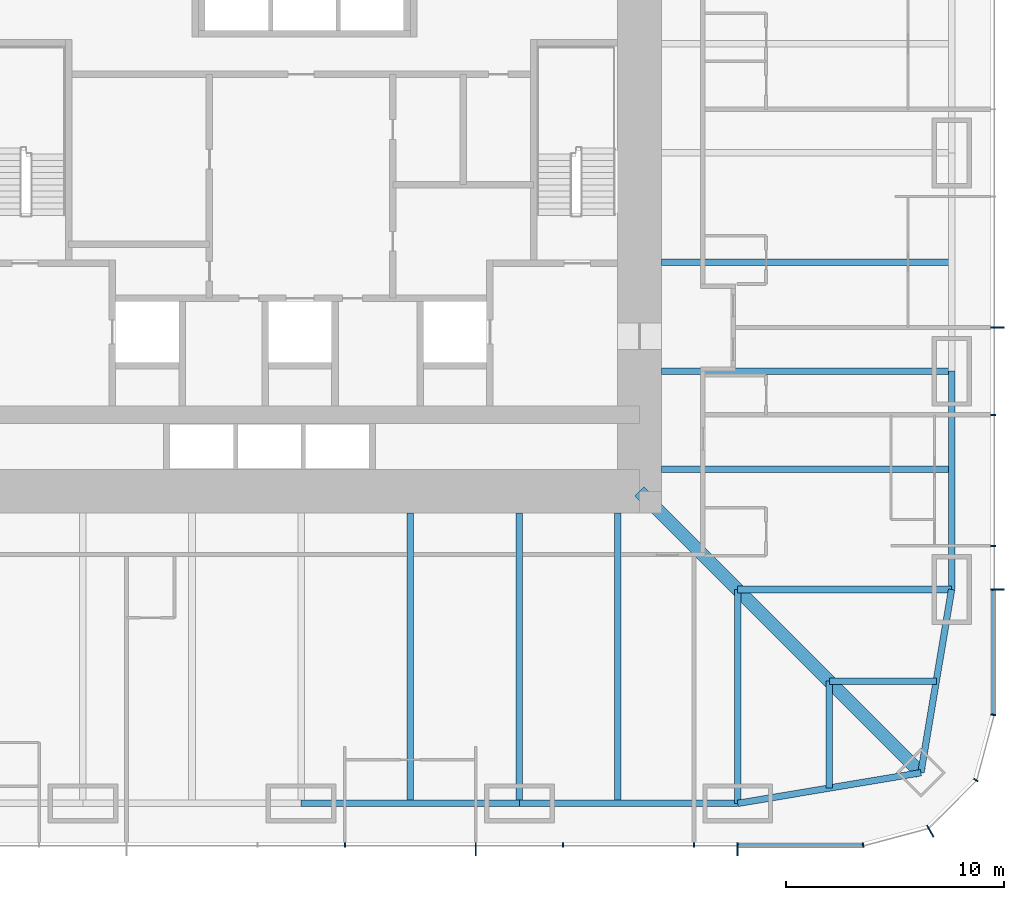
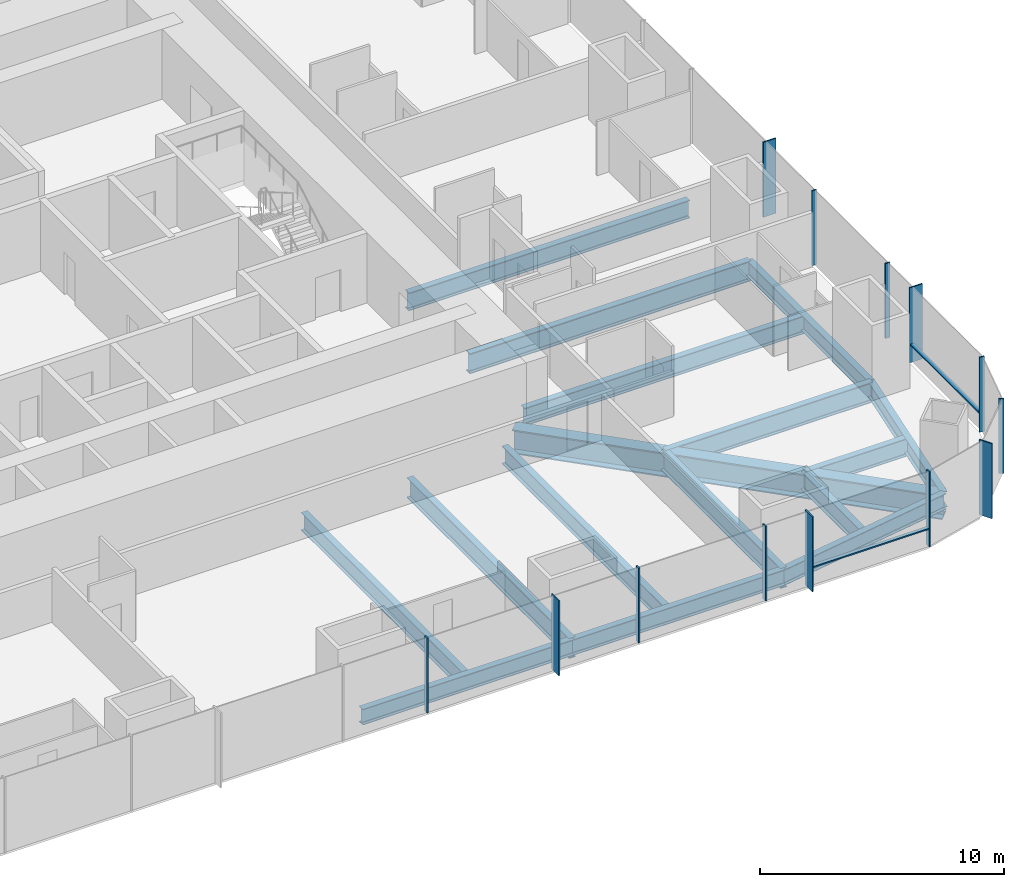
# One storey, part 4 of 17: 16 beams, 15 members, 3 elements without a shape of their own.
"""IFC4 building model written with IfcOpenShell, lengths in metres."""

from ifc_helpers import new_model, si_unit, direction, frame, origin, origin_2d, place, context, subcontext, project, spatial, rectangle, i_section, extrude, material, material_profile, profile_set, type_object, element, aggregate, save


model = new_model("IFC4")

# Units and contexts
model_context = context("Model", 3, precision=1e-05, world=origin(), true_north=direction((0.0, 1.0)))
body_context = subcontext(model_context, "Body", "Model", "MODEL_VIEW")
ifc_project = project(units=[si_unit("LENGTHUNIT", "METRE"), si_unit("AREAUNIT", "SQUARE_METRE"), si_unit("VOLUMEUNIT", "CUBIC_METRE"), si_unit("PLANEANGLEUNIT", "RADIAN"), si_unit("MASSUNIT", "GRAM", prefix="KILO")], contexts=[model_context])

# Site, building, storey
site_placement = place(None, origin())
site = spatial("IfcSite", under=ifc_project, at=site_placement, CompositionType="ELEMENT")
building_placement = place(site_placement, origin())
building = spatial("IfcBuilding", under=site, at=building_placement, Name="Khuree Lantern Residences", CompositionType="ELEMENT")
storey_placement = place(building_placement, frame((0.0, 0.0, 47.25)))
storey = spatial("IfcBuildingStorey", under=building, at=storey_placement, Name="L11", CompositionType="ELEMENT", Elevation=47.25)

# Beams
ifc_material_1 = material(Name="Steel S355", Category="steel")
ifc_material_profile_1 = material_profile(ifc_material_1, i_section(OverallWidth=0.300048828125, OverallDepth=0.889892578125, WebThickness=0.01611328125, FlangeThickness=0.030029296875, FilletRadius=0.030029296875, at=origin_2d()), Name="HE 900 A")
ifc_profile_set_1 = profile_set([ifc_material_profile_1], Name="Steel S355")
beam_type_1 = type_object("IfcBeamType", Name="B-12 SECONDARY BEAM HE 900 A", PredefinedType="BEAM", material=ifc_profile_set_1)
for number, where, z_axis, x_axis, name in (
    (1, (29.800048828125, -5.0, -0.695068359375), (-1.0, 0.0, 0.0), (0.0, -1.0, 0.0), "Secondary beam E4"),
    (2, (29.800048828125, -14.5, -0.695068359375), (-1.0, 0.0, 0.0), (0.0, -1.0, 0.0), "Secondary beam E5"),
):
    element("IfcBeam", number, at=place(storey_placement, frame(where, z_axis=z_axis, x_axis=x_axis)), inside=storey, type_object=beam_type_1, Name=name, PredefinedType="BEAM", context=body_context, shape_type="SweptSolid", body=[
        extrude(i_section(OverallWidth=0.300048828125, OverallDepth=0.889892578125, WebThickness=0.01611328125, FlangeThickness=0.030029296875, FilletRadius=0.030029296875, at=origin_2d()), origin(), (0.0, 0.0, 1.0), 13.300048828125),
    ])
for number, where, z_axis, x_axis, name in (
    (3, (29.09716796875, -24.197021484375, -0.695068359375), (-1.0, 0.0, 0.0), (0.0, -1.0, 0.0), "Secondary beam E6"),
    (4, (24.197021484375, -29.09716796875, -0.695068359375), (0.0, 1.0, 0.0), (-1.0, 0.0, 0.0), "Secondary beam S1"),
):
    element("IfcBeam", number, at=place(storey_placement, frame(where, z_axis=z_axis, x_axis=x_axis)), inside=storey, type_object=beam_type_1, Name=name, PredefinedType="BEAM", context=body_context, shape_type="SweptSolid", body=[
        extrude(i_section(OverallWidth=0.300048828125, OverallDepth=0.889892578125, WebThickness=0.01611328125, FlangeThickness=0.030029296875, FilletRadius=0.030029296875, at=origin_2d()), origin(), (0.0, 0.0, 1.0), 4.900146484375),
    ])
for number, where, z_axis, x_axis, name in (
    (5, (14.5, -29.800048828125, -0.695068359375), (0.0, 1.0, 0.0), (-1.0, 0.0, 0.0), "Secondary beam S2"),
    (6, (5.0, -29.800048828125, -0.695068359375), (0.0, 1.0, 0.0), (-1.0, 0.0, 0.0), "Secondary beam S3"),
):
    element("IfcBeam", number, at=place(storey_placement, frame(where, z_axis=z_axis, x_axis=x_axis)), inside=storey, type_object=beam_type_1, Name=name, PredefinedType="BEAM", context=body_context, shape_type="SweptSolid", body=[
        extrude(i_section(OverallWidth=0.300048828125, OverallDepth=0.889892578125, WebThickness=0.01611328125, FlangeThickness=0.030029296875, FilletRadius=0.030029296875, at=origin_2d()), origin(), (0.0, 0.0, 1.0), 13.300048828125),
    ])
ifc_material_profile_2 = material_profile(ifc_material_1, i_section(OverallWidth=0.300048828125, OverallDepth=0.7900390625, WebThickness=0.014892578125, FlangeThickness=0.028076171875, FilletRadius=0.030029296875, at=origin_2d()), Name="HE 800 A")
ifc_profile_set_2 = profile_set([ifc_material_profile_2], Name="Steel S355")
beam_type_2 = type_object("IfcBeamType", Name="E-12 SPANDREL BEAM HE 800 A", PredefinedType="SPANDREL", material=ifc_profile_set_2)
beam_1_placement = place(storey_placement, frame((29.800048828125, -10.0, -0.64501953125), z_axis=(0.0, -1.0, 0.0), x_axis=(1.0, 0.0, 0.0)))
element("IfcBeam", 7, at=beam_1_placement, inside=storey, type_object=beam_type_2, Name="Spandrel beam E5", PredefinedType="SPANDREL", context=body_context, shape_type="SweptSolid", body=[
    extrude(i_section(OverallWidth=0.300048828125, OverallDepth=0.7900390625, WebThickness=0.014892578125, FlangeThickness=0.028076171875, FilletRadius=0.030029296875, at=origin_2d()), origin(), (0.0, 0.0, 1.0), 10.0),
])
for number, where, z_axis, x_axis, name in (
    (8, (29.800048828125, -20.0, -0.64501953125), (-0.165199022349, -0.986260251158, 0.0), (0.986260251158, -0.165199022349, 0.0), "Spandrel beam E6"),
    (9, (28.39404296875, -28.39404296875, -0.64501953125), (-0.986260251158, -0.165199022349, 0.0), (0.165199022349, -0.986260251158, 0.0), "Spandrel beam S1"),
):
    element("IfcBeam", number, at=place(storey_placement, frame(where, z_axis=z_axis, x_axis=x_axis)), inside=storey, type_object=beam_type_2, Name=name, PredefinedType="SPANDREL", context=body_context, shape_type="SweptSolid", body=[
        extrude(i_section(OverallWidth=0.300048828125, OverallDepth=0.7900390625, WebThickness=0.014892578125, FlangeThickness=0.028076171875, FilletRadius=0.030029296875, at=origin_2d()), origin(), (0.0, 0.0, 1.0), 8.510986328125),
    ])
for number, where, z_axis, x_axis, name in (
    (10, (20.0, -29.800048828125, -0.64501953125), (-1.0, 0.0, 0.0), (0.0, -1.0, 0.0), "Spandrel beam S2"),
    (11, (10.0, -29.800048828125, -0.64501953125), (-1.0, 0.0, 0.0), (0.0, -1.0, 0.0), "Spandrel beam S3"),
):
    element("IfcBeam", number, at=place(storey_placement, frame(where, z_axis=z_axis, x_axis=x_axis)), inside=storey, type_object=beam_type_2, Name=name, PredefinedType="SPANDREL", context=body_context, shape_type="SweptSolid", body=[
        extrude(i_section(OverallWidth=0.300048828125, OverallDepth=0.7900390625, WebThickness=0.014892578125, FlangeThickness=0.028076171875, FilletRadius=0.030029296875, at=origin_2d()), origin(), (0.0, 0.0, 1.0), 10.0),
    ])

# Curtain wall, member
ifc_material_2 = material(Name="Bronze anodised aluminium", Category="aluminium")
curtain_wall_type_1 = type_object("IfcCurtainWallType", Name="CW-T2 TOWER CORNER CURTAIN WALL", PredefinedType="USERDEFINED", material=ifc_material_2)
curtain_wall_1_placement = place(storey_placement, origin())
curtain_wall_1 = element("IfcCurtainWall", 12, at=curtain_wall_1_placement, inside=storey, type_object=curtain_wall_type_1, Name="L11 SOUTH-EAST CORNER CURTAIN WALL", ObjectType="Faceted corner curtain wall", PredefinedType="USERDEFINED")
ifc_material_profile_3 = material_profile(ifc_material_2, rectangle(XDim=0.06494140625, YDim=0.60009765625, at=origin_2d()), Name="F1 65X600")
ifc_profile_set_3 = profile_set([ifc_material_profile_3], Name="Bronze anodised aluminium")
member_type_1 = type_object("IfcMemberType", Name="F1 BRONZE FIN MULLION TOWER 65X600", PredefinedType="MULLION", material=ifc_profile_set_3)
member_1_placement = place(storey_placement, frame((28.824951171875, -31.076171875, 0.0), z_axis=(0.0, 0.0, 1.0), x_axis=(0.86602537092, 0.500000056923, 0.0)))
member_1 = element("IfcMember", 13, at=member_1_placement, type_object=member_type_1, Name="L11 SOUTH-EAST CORNER FIN MULLION 2", PredefinedType="MULLION", context=body_context, shape_type="SweptSolid", body=[
    extrude(rectangle(XDim=0.06494140625, YDim=0.60009765625, at=origin_2d()), origin(), (0.0, 0.0, 1.0), 3.75),
])

# Curtain wall, members
curtain_wall_type_2 = type_object("IfcCurtainWallType", Name="CW-T1 TOWER FACE CURTAIN WALL", PredefinedType="USERDEFINED", material=ifc_material_2)
curtain_wall_2_placement = place(storey_placement, origin())
curtain_wall_2 = element("IfcCurtainWall", 14, at=curtain_wall_2_placement, inside=storey, type_object=curtain_wall_type_2, Name="L11 EAST FACE CURTAIN WALL", ObjectType="Stick-built curtain wall", PredefinedType="USERDEFINED")
member_2_placement = place(storey_placement, frame((31.89990234375, -20.0, 0.0), z_axis=(0.0, 0.0, 1.0), x_axis=(0.0, 1.0, 0.0)))
member_2 = element("IfcMember", 15, at=member_2_placement, type_object=member_type_1, Name="L11 EAST FACE FIN MULLION 5", PredefinedType="MULLION", context=body_context, shape_type="SweptSolid", body=[
    extrude(rectangle(XDim=0.06494140625, YDim=0.60009765625, at=origin_2d()), origin(), (0.0, 0.0, 1.0), 3.75),
])
member_3_placement = place(storey_placement, frame((31.89990234375, -8.0, 0.0), z_axis=(0.0, 0.0, 1.0), x_axis=(0.0, 1.0, 0.0)))
member_3 = element("IfcMember", 16, at=member_3_placement, type_object=member_type_1, Name="L11 EAST FACE FIN MULLION 8", PredefinedType="MULLION", context=body_context, shape_type="SweptSolid", body=[
    extrude(rectangle(XDim=0.06494140625, YDim=0.60009765625, at=origin_2d()), origin(), (0.0, 0.0, 1.0), 3.75),
])

curtain_wall_3_placement = place(storey_placement, origin())
curtain_wall_3 = element("IfcCurtainWall", 17, at=curtain_wall_3_placement, inside=storey, type_object=curtain_wall_type_2, Name="L11 SOUTH FACE CURTAIN WALL", ObjectType="Stick-built curtain wall", PredefinedType="USERDEFINED")
member_4_placement = place(storey_placement, frame((8.0, -31.89990234375, 0.0), z_axis=(0.0, 0.0, 1.0), x_axis=(1.0, 0.0, 0.0)))
member_4 = element("IfcMember", 18, at=member_4_placement, type_object=member_type_1, Name="L11 SOUTH FACE FIN MULLION 53", PredefinedType="MULLION", context=body_context, shape_type="SweptSolid", body=[
    extrude(rectangle(XDim=0.06494140625, YDim=0.60009765625, at=origin_2d()), origin(), (0.0, 0.0, 1.0), 3.75),
])
member_5_placement = place(storey_placement, frame((20.0, -31.89990234375, 0.0), z_axis=(0.0, 0.0, 1.0), x_axis=(1.0, 0.0, 0.0)))
member_5 = element("IfcMember", 19, at=member_5_placement, type_object=member_type_1, Name="L11 SOUTH FACE FIN MULLION 56", PredefinedType="MULLION", context=body_context, shape_type="SweptSolid", body=[
    extrude(rectangle(XDim=0.06494140625, YDim=0.60009765625, at=origin_2d()), origin(), (0.0, 0.0, 1.0), 3.75),
])

# Beams
ifc_material_profile_4 = material_profile(ifc_material_1, i_section(OverallWidth=0.302001953125, OverallDepth=1.008056640625, WebThickness=0.02099609375, FlangeThickness=0.0400390625, FilletRadius=0.030029296875, at=origin_2d()), Name="HE 1000 M")
ifc_profile_set_4 = profile_set([ifc_material_profile_4], Name="Steel S355")
beam_type_3 = type_object("IfcBeamType", Name="G-12 GIRDER HE 1000 M", PredefinedType="BEAM", material=ifc_profile_set_4)
beam_2_placement = place(storey_placement, frame((29.800048828125, -10.0, -0.75390625), z_axis=(-1.0, 0.0, 0.0), x_axis=(0.0, -1.0, 0.0)))
element("IfcBeam", 20, at=beam_2_placement, inside=storey, type_object=beam_type_3, Name="Girder E4", PredefinedType="BEAM", context=body_context, shape_type="SweptSolid", body=[
    extrude(i_section(OverallWidth=0.302001953125, OverallDepth=1.008056640625, WebThickness=0.02099609375, FlangeThickness=0.0400390625, FilletRadius=0.030029296875, at=origin_2d()), origin(), (0.0, 0.0, 1.0), 13.300048828125),
])
for number, where, z_axis, x_axis, name in (
    (21, (29.800048828125, -20.0, -0.75390625), (-1.0, 0.0, 0.0), (0.0, -1.0, 0.0), "Girder E5"),
    (22, (20.0, -29.800048828125, -0.75390625), (0.0, 1.0, 0.0), (-1.0, 0.0, 0.0), "Girder S1"),
):
    element("IfcBeam", number, at=place(storey_placement, frame(where, z_axis=z_axis, x_axis=x_axis)), inside=storey, type_object=beam_type_3, Name=name, PredefinedType="BEAM", context=body_context, shape_type="SweptSolid", body=[
        extrude(i_section(OverallWidth=0.302001953125, OverallDepth=1.008056640625, WebThickness=0.02099609375, FlangeThickness=0.0400390625, FilletRadius=0.030029296875, at=origin_2d()), origin(), (0.0, 0.0, 1.0), 9.800048828125),
    ])
beam_3_placement = place(storey_placement, frame((10.0, -29.800048828125, -0.75390625), z_axis=(0.0, 1.0, 0.0), x_axis=(-1.0, 0.0, 0.0)))
element("IfcBeam", 23, at=beam_3_placement, inside=storey, type_object=beam_type_3, Name="Girder S2", PredefinedType="BEAM", context=body_context, shape_type="SweptSolid", body=[
    extrude(i_section(OverallWidth=0.302001953125, OverallDepth=1.008056640625, WebThickness=0.02099609375, FlangeThickness=0.0400390625, FilletRadius=0.030029296875, at=origin_2d()), origin(), (0.0, 0.0, 1.0), 13.300048828125),
])
ifc_material_profile_5 = material_profile(ifc_material_1, i_section(OverallWidth=0.60009765625, OverallDepth=1.199951171875, WebThickness=0.030029296875, FlangeThickness=0.06005859375, at=origin_2d()), Name="WELDED I 1200X600X30X60")
ifc_profile_set_5 = profile_set([ifc_material_profile_5], Name="Steel S355")
beam_type_4 = type_object("IfcBeamType", Name="GD-12 CORNER GIRDER WELDED I 1200X600X30X60", PredefinedType="BEAM", material=ifc_profile_set_5)
beam_4_placement = place(storey_placement, frame((28.39404296875, -28.39404296875, -0.85009765625), z_axis=(-0.707106781187, 0.707106781187, 0.0), x_axis=(-0.707106781187, -0.707106781187, 0.0)))
element("IfcBeam", 24, at=beam_4_placement, inside=storey, type_object=beam_type_4, Name="Corner girder SE", PredefinedType="BEAM", context=body_context, shape_type="SweptSolid", body=[
    extrude(i_section(OverallWidth=0.60009765625, OverallDepth=1.199951171875, WebThickness=0.030029296875, FlangeThickness=0.06005859375, at=origin_2d()), origin(), (0.0, 0.0, 1.0), 18.23486328125),
])

# Member
ifc_material_profile_6 = material_profile(ifc_material_2, rectangle(XDim=0.06494140625, YDim=0.219970703125, at=origin_2d()), Name="M1 65X220")
ifc_profile_set_6 = profile_set([ifc_material_profile_6], Name="Bronze anodised aluminium")
member_type_2 = type_object("IfcMemberType", Name="M1 BRONZE MULLION TOWER 65X220", PredefinedType="MULLION", material=ifc_profile_set_6)
member_6_placement = place(storey_placement, frame((25.744873046875, -31.711669921875, 0.0), z_axis=(0.0, 0.0, 1.0), x_axis=(0.991444852794, 0.130526257387, 0.0)))
member_6 = element("IfcMember", 25, at=member_6_placement, type_object=member_type_2, Name="L11 SOUTH-EAST CORNER MULLION 1", PredefinedType="MULLION", context=body_context, shape_type="SweptSolid", body=[
    extrude(rectangle(XDim=0.06494140625, YDim=0.219970703125, at=origin_2d()), origin(), (0.0, 0.0, 1.0), 3.75),
])

member_7_placement = place(storey_placement, frame((30.91162109375, -28.72998046875, 0.0), z_axis=(0.0, 0.0, 1.0), x_axis=(0.500000056923, 0.86602537092, 0.0)))
member_7 = element("IfcMember", 26, at=member_7_placement, type_object=member_type_2, Name="L11 SOUTH-EAST CORNER MULLION 3", PredefinedType="MULLION", context=body_context, shape_type="SweptSolid", body=[
    extrude(rectangle(XDim=0.06494140625, YDim=0.219970703125, at=origin_2d()), origin(), (0.0, 0.0, 1.0), 3.75),
])

aggregate(curtain_wall_1, [member_6, member_1, member_7])

member_8_placement = place(storey_placement, frame((31.711669921875, -25.744873046875, 0.0), z_axis=(0.0, 0.0, 1.0), x_axis=(0.130526257387, 0.991444852794, 0.0)))
member_8 = element("IfcMember", 27, at=member_8_placement, type_object=member_type_2, Name="L11 EAST FACE MULLION 4", PredefinedType="MULLION", context=body_context, shape_type="SweptSolid", body=[
    extrude(rectangle(XDim=0.06494140625, YDim=0.219970703125, at=origin_2d()), origin(), (0.0, 0.0, 1.0), 3.75),
])

member_9_placement = place(storey_placement, frame((31.7099609375, -18.0, 0.0), z_axis=(0.0, 0.0, 1.0), x_axis=(0.0, 1.0, 0.0)))
member_9 = element("IfcMember", 28, at=member_9_placement, type_object=member_type_2, Name="L11 EAST FACE MULLION 6", PredefinedType="MULLION", context=body_context, shape_type="SweptSolid", body=[
    extrude(rectangle(XDim=0.06494140625, YDim=0.219970703125, at=origin_2d()), origin(), (0.0, 0.0, 1.0), 3.75),
])

member_10_placement = place(storey_placement, frame((31.7099609375, -12.0, 0.0), z_axis=(0.0, 0.0, 1.0), x_axis=(0.0, 1.0, 0.0)))
member_10 = element("IfcMember", 29, at=member_10_placement, type_object=member_type_2, Name="L11 EAST FACE MULLION 7", PredefinedType="MULLION", context=body_context, shape_type="SweptSolid", body=[
    extrude(rectangle(XDim=0.06494140625, YDim=0.219970703125, at=origin_2d()), origin(), (0.0, 0.0, 1.0), 3.75),
])

member_11_placement = place(storey_placement, frame((2.0, -31.7099609375, 0.0), z_axis=(0.0, 0.0, 1.0), x_axis=(1.0, 0.0, 0.0)))
member_11 = element("IfcMember", 30, at=member_11_placement, type_object=member_type_2, Name="L11 SOUTH FACE MULLION 52", PredefinedType="MULLION", context=body_context, shape_type="SweptSolid", body=[
    extrude(rectangle(XDim=0.06494140625, YDim=0.219970703125, at=origin_2d()), origin(), (0.0, 0.0, 1.0), 3.75),
])

member_12_placement = place(storey_placement, frame((12.0, -31.7099609375, 0.0), z_axis=(0.0, 0.0, 1.0), x_axis=(1.0, 0.0, 0.0)))
member_12 = element("IfcMember", 31, at=member_12_placement, type_object=member_type_2, Name="L11 SOUTH FACE MULLION 54", PredefinedType="MULLION", context=body_context, shape_type="SweptSolid", body=[
    extrude(rectangle(XDim=0.06494140625, YDim=0.219970703125, at=origin_2d()), origin(), (0.0, 0.0, 1.0), 3.75),
])

member_13_placement = place(storey_placement, frame((18.0, -31.7099609375, 0.0), z_axis=(0.0, 0.0, 1.0), x_axis=(1.0, 0.0, 0.0)))
member_13 = element("IfcMember", 32, at=member_13_placement, type_object=member_type_2, Name="L11 SOUTH FACE MULLION 55", PredefinedType="MULLION", context=body_context, shape_type="SweptSolid", body=[
    extrude(rectangle(XDim=0.06494140625, YDim=0.219970703125, at=origin_2d()), origin(), (0.0, 0.0, 1.0), 3.75),
])

ifc_material_profile_7 = material_profile(ifc_material_2, rectangle(XDim=0.179931640625, YDim=0.06494140625, at=origin_2d()), Name="T1 180X65")
ifc_profile_set_7 = profile_set([ifc_material_profile_7], Name="Bronze anodised aluminium")
member_type_3 = type_object("IfcMemberType", Name="TRANSOM T1 TOWER 180X65", PredefinedType="USERDEFINED", material=ifc_profile_set_7)
member_14_placement = place(storey_placement, frame((31.719970703125, -25.701416015625, 0.89990234375), z_axis=(0.0, 1.0, 0.0), x_axis=(-1.0, 0.0, 0.0)))
member_14 = element("IfcMember", 33, at=member_14_placement, type_object=member_type_3, Name="L11 EAST FACE TRANSOM 4.1", ObjectType="Transom", PredefinedType="USERDEFINED", context=body_context, shape_type="SweptSolid", body=[
    extrude(rectangle(XDim=0.179931640625, YDim=0.06494140625, at=origin_2d()), origin(), (0.0, 0.0, 1.0), 5.6689453125),
])

aggregate(curtain_wall_2, [member_8, member_2, member_9, member_10, member_3, member_14])

member_15_placement = place(storey_placement, frame((20.032470703125, -31.719970703125, 0.89990234375), z_axis=(1.0, 0.0, 0.0), x_axis=(0.0, 1.0, 0.0)))
member_15 = element("IfcMember", 34, at=member_15_placement, type_object=member_type_3, Name="L11 SOUTH FACE TRANSOM 56.1", ObjectType="Transom", PredefinedType="USERDEFINED", context=body_context, shape_type="SweptSolid", body=[
    extrude(rectangle(XDim=0.179931640625, YDim=0.06494140625, at=origin_2d()), origin(), (0.0, 0.0, 1.0), 5.6689453125),
])

aggregate(curtain_wall_3, [member_11, member_4, member_12, member_13, member_5, member_15])

save(model, "model.ifc")
